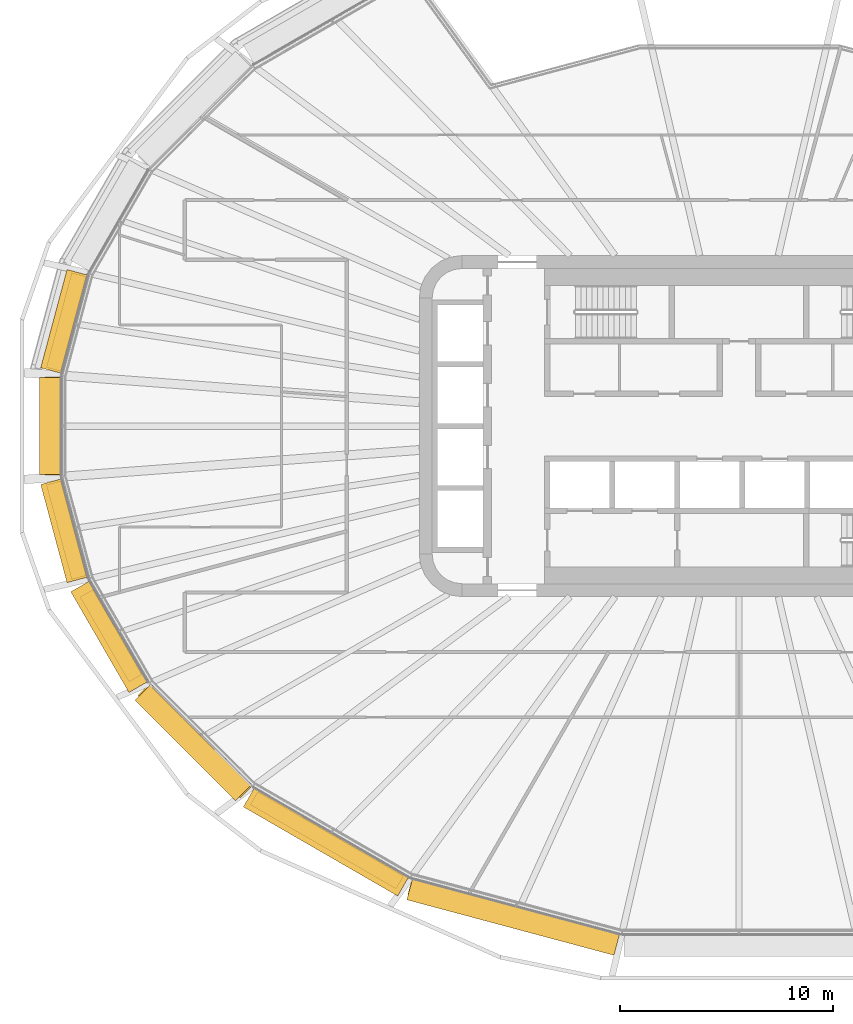
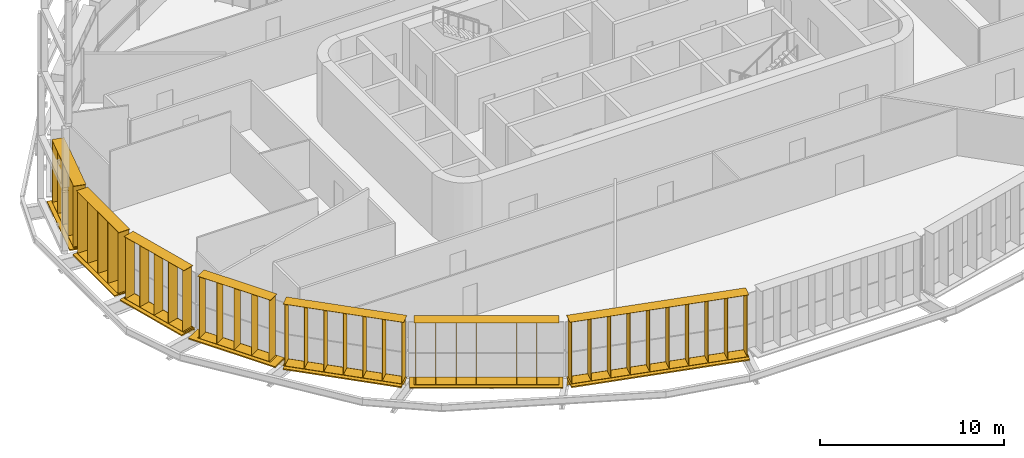
# One storey, part 19 of 25: 14 shading devices.
"""IFC4 building model written with IfcOpenShell, lengths in metres."""

from ifc_helpers import new_model, si_unit, direction, frame, origin, origin_2d, place, context, subcontext, project, spatial, rectangle, extrude, material, type_object, element, save


model = new_model("IFC4")

# Units and contexts
model_context = context("Model", 3, precision=1e-05, world=origin(), true_north=direction((0.0, 1.0)))
body_context = subcontext(model_context, "Body", "Model", "MODEL_VIEW")
ifc_project = project(units=[si_unit("LENGTHUNIT", "METRE"), si_unit("AREAUNIT", "SQUARE_METRE"), si_unit("VOLUMEUNIT", "CUBIC_METRE"), si_unit("PLANEANGLEUNIT", "RADIAN"), si_unit("MASSUNIT", "GRAM", prefix="KILO")], contexts=[model_context])

# Site, building, storey
site_placement = place(None, origin())
site = spatial("IfcSite", under=ifc_project, at=site_placement, CompositionType="ELEMENT")
building_placement = place(site_placement, origin())
building = spatial("IfcBuilding", under=site, at=building_placement, Name="Sahrelin Media Tower", CompositionType="ELEMENT")
storey_placement = place(building_placement, frame((0.0, 0.0, 127.199951171875)))
storey = spatial("IfcBuildingStorey", under=building, at=storey_placement, Name="L25", CompositionType="ELEMENT", Elevation=127.199951171875)

# Shading devices
ifc_material = material(Name="Champagne anodised aluminium 6063-T6", Category="aluminium")
shading_device_type_1 = type_object("IfcShadingDeviceType", Name="Fin cassette", PredefinedType="USERDEFINED", material=ifc_material)
placement_1 = place(storey_placement, frame((-31.155029296875, 4.77587890625, 0.0), z_axis=(0.0, 0.0, 1.0), x_axis=(0.258807731996, 0.965928857556, 0.0)))
element("IfcShadingDevice", 1, at=placement_1, inside=storey, type_object=shading_device_type_1, Name="L25:FIN:L25-11", ObjectType="FIN", PredefinedType="USERDEFINED", context=body_context, shape_type="SweptSolid", body=[
    extrude(rectangle(XDim=4.60009765625, YDim=0.699951171875, at=origin_2d()), frame((0.0, 0.419921875, 0.0)), (0.0, 0.0, 1.0), 0.02001953125),
    extrude(rectangle(XDim=4.60009765625, YDim=0.699951171875, at=origin_2d()), frame((0.0, 0.419921875, 4.10009765625)), (0.0, 0.0, 1.0), 0.02001953125),
    extrude(rectangle(XDim=0.02001953125, YDim=0.699951171875, at=origin_2d()), frame((-2.199951171875, 0.419921875, 0.010009765625), z_axis=(0.0, 0.0, 1.0), x_axis=(1.0, 0.0, 0.0)), (0.0, 0.0, 1.0), 4.10009765625),
    extrude(rectangle(XDim=0.02001953125, YDim=0.699951171875, at=origin_2d()), frame((-1.10009765625, 0.419921875, 0.010009765625), z_axis=(0.0, 0.0, 1.0), x_axis=(1.0, 0.0, 0.0)), (0.0, 0.0, 1.0), 4.10009765625),
    extrude(rectangle(XDim=0.02001953125, YDim=0.699951171875, at=origin_2d()), frame((0.0, 0.419921875, 0.010009765625), z_axis=(0.0, 0.0, 1.0), x_axis=(1.0, 0.0, 0.0)), (0.0, 0.0, 1.0), 4.10009765625),
    extrude(rectangle(XDim=0.02001953125, YDim=0.699951171875, at=origin_2d()), frame((1.10009765625, 0.419921875, 0.010009765625), z_axis=(0.0, 0.0, 1.0), x_axis=(1.0, 0.0, 0.0)), (0.0, 0.0, 1.0), 4.10009765625),
    extrude(rectangle(XDim=0.02001953125, YDim=0.699951171875, at=origin_2d()), frame((2.199951171875, 0.419921875, 0.010009765625), z_axis=(0.0, 0.0, 1.0), x_axis=(1.0, 0.0, 0.0)), (0.0, 0.0, 1.0), 4.10009765625),
])
placement_2 = place(storey_placement, frame((-31.798095703125, 0.0, 0.0), z_axis=(0.0, 0.0, 1.0), x_axis=(0.0, 1.0, 0.0)))
element("IfcShadingDevice", 2, at=placement_2, inside=storey, type_object=shading_device_type_1, Name="L25:FIN:L25-12", ObjectType="FIN", PredefinedType="USERDEFINED", context=body_context, shape_type="SweptSolid", body=[
    extrude(rectangle(XDim=4.60009765625, YDim=0.699951171875, at=origin_2d()), frame((0.0, 0.419921875, 0.0)), (0.0, 0.0, 1.0), 0.02001953125),
    extrude(rectangle(XDim=4.60009765625, YDim=0.699951171875, at=origin_2d()), frame((0.0, 0.419921875, 4.10009765625)), (0.0, 0.0, 1.0), 0.02001953125),
    extrude(rectangle(XDim=0.02001953125, YDim=0.699951171875, at=origin_2d()), frame((-2.199951171875, 0.419921875, 0.010009765625), z_axis=(0.0, 0.0, 1.0), x_axis=(1.0, 0.0, 0.0)), (0.0, 0.0, 1.0), 4.10009765625),
    extrude(rectangle(XDim=0.02001953125, YDim=0.699951171875, at=origin_2d()), frame((-1.10009765625, 0.419921875, 0.010009765625), z_axis=(0.0, 0.0, 1.0), x_axis=(1.0, 0.0, 0.0)), (0.0, 0.0, 1.0), 4.10009765625),
    extrude(rectangle(XDim=0.02001953125, YDim=0.699951171875, at=origin_2d()), frame((0.0, 0.419921875, 0.010009765625), z_axis=(0.0, 0.0, 1.0), x_axis=(1.0, 0.0, 0.0)), (0.0, 0.0, 1.0), 4.10009765625),
    extrude(rectangle(XDim=0.02001953125, YDim=0.699951171875, at=origin_2d()), frame((1.10009765625, 0.419921875, 0.010009765625), z_axis=(0.0, 0.0, 1.0), x_axis=(1.0, 0.0, 0.0)), (0.0, 0.0, 1.0), 4.10009765625),
    extrude(rectangle(XDim=0.02001953125, YDim=0.699951171875, at=origin_2d()), frame((2.199951171875, 0.419921875, 0.010009765625), z_axis=(0.0, 0.0, 1.0), x_axis=(1.0, 0.0, 0.0)), (0.0, 0.0, 1.0), 4.10009765625),
])
placement_3 = place(storey_placement, frame((-31.155029296875, -4.775634765625, 0.0), z_axis=(0.0, 0.0, 1.0), x_axis=(-0.258807731996, 0.965928857556, 0.0)))
element("IfcShadingDevice", 3, at=placement_3, inside=storey, type_object=shading_device_type_1, Name="L25:FIN:L25-13", ObjectType="FIN", PredefinedType="USERDEFINED", context=body_context, shape_type="SweptSolid", body=[
    extrude(rectangle(XDim=4.60009765625, YDim=0.699951171875, at=origin_2d()), frame((0.0, 0.419921875, 0.0)), (0.0, 0.0, 1.0), 0.02001953125),
    extrude(rectangle(XDim=4.60009765625, YDim=0.699951171875, at=origin_2d()), frame((0.0, 0.419921875, 4.10009765625)), (0.0, 0.0, 1.0), 0.02001953125),
    extrude(rectangle(XDim=0.02001953125, YDim=0.699951171875, at=origin_2d()), frame((-2.199951171875, 0.419921875, 0.010009765625), z_axis=(0.0, 0.0, 1.0), x_axis=(1.0, 0.0, 0.0)), (0.0, 0.0, 1.0), 4.10009765625),
    extrude(rectangle(XDim=0.02001953125, YDim=0.699951171875, at=origin_2d()), frame((-1.10009765625, 0.419921875, 0.010009765625), z_axis=(0.0, 0.0, 1.0), x_axis=(1.0, 0.0, 0.0)), (0.0, 0.0, 1.0), 4.10009765625),
    extrude(rectangle(XDim=0.02001953125, YDim=0.699951171875, at=origin_2d()), frame((0.0, 0.419921875, 0.010009765625), z_axis=(0.0, 0.0, 1.0), x_axis=(1.0, 0.0, 0.0)), (0.0, 0.0, 1.0), 4.10009765625),
    extrude(rectangle(XDim=0.02001953125, YDim=0.699951171875, at=origin_2d()), frame((1.10009765625, 0.419921875, 0.010009765625), z_axis=(0.0, 0.0, 1.0), x_axis=(1.0, 0.0, 0.0)), (0.0, 0.0, 1.0), 4.10009765625),
    extrude(rectangle(XDim=0.02001953125, YDim=0.699951171875, at=origin_2d()), frame((2.199951171875, 0.419921875, 0.010009765625), z_axis=(0.0, 0.0, 1.0), x_axis=(1.0, 0.0, 0.0)), (0.0, 0.0, 1.0), 4.10009765625),
])
placement_4 = place(storey_placement, frame((-29.098388671875, -9.6240234375, 0.0), z_axis=(0.0, 0.0, 1.0), x_axis=(-0.500011000363, 0.866019052629, 0.0)))
element("IfcShadingDevice", 4, at=placement_4, inside=storey, type_object=shading_device_type_1, Name="L25:FIN:L25-14", ObjectType="FIN", PredefinedType="USERDEFINED", context=body_context, shape_type="SweptSolid", body=[
    extrude(rectangle(XDim=4.60009765625, YDim=0.699951171875, at=origin_2d()), frame((0.0, 0.419921875, 0.0)), (0.0, 0.0, 1.0), 0.02001953125),
    extrude(rectangle(XDim=4.60009765625, YDim=0.699951171875, at=origin_2d()), frame((0.0, 0.419921875, 4.10009765625)), (0.0, 0.0, 1.0), 0.02001953125),
    extrude(rectangle(XDim=0.02001953125, YDim=0.699951171875, at=origin_2d()), frame((-2.199951171875, 0.419921875, 0.010009765625), z_axis=(0.0, 0.0, 1.0), x_axis=(1.0, 0.0, 0.0)), (0.0, 0.0, 1.0), 4.10009765625),
    extrude(rectangle(XDim=0.02001953125, YDim=0.699951171875, at=origin_2d()), frame((-1.10009765625, 0.419921875, 0.010009765625), z_axis=(0.0, 0.0, 1.0), x_axis=(1.0, 0.0, 0.0)), (0.0, 0.0, 1.0), 4.10009765625),
    extrude(rectangle(XDim=0.02001953125, YDim=0.699951171875, at=origin_2d()), frame((0.0, 0.419921875, 0.010009765625), z_axis=(0.0, 0.0, 1.0), x_axis=(1.0, 0.0, 0.0)), (0.0, 0.0, 1.0), 4.10009765625),
    extrude(rectangle(XDim=0.02001953125, YDim=0.699951171875, at=origin_2d()), frame((1.10009765625, 0.419921875, 0.010009765625), z_axis=(0.0, 0.0, 1.0), x_axis=(1.0, 0.0, 0.0)), (0.0, 0.0, 1.0), 4.10009765625),
    extrude(rectangle(XDim=0.02001953125, YDim=0.699951171875, at=origin_2d()), frame((2.199951171875, 0.419921875, 0.010009765625), z_axis=(0.0, 0.0, 1.0), x_axis=(1.0, 0.0, 0.0)), (0.0, 0.0, 1.0), 4.10009765625),
])
placement_5 = place(storey_placement, frame((-25.25634765625, -14.5009765625, 0.0), z_axis=(0.0, 0.0, 1.0), x_axis=(-0.707106781187, 0.707106781187, 0.0)))
element("IfcShadingDevice", 5, at=placement_5, inside=storey, type_object=shading_device_type_1, Name="L25:FIN:L25-15", ObjectType="FIN", PredefinedType="USERDEFINED", context=body_context, shape_type="SweptSolid", body=[
    extrude(rectangle(XDim=6.800048828125, YDim=0.699951171875, at=origin_2d()), frame((0.0, 0.419921875, 0.0)), (0.0, 0.0, 1.0), 0.02001953125),
    extrude(rectangle(XDim=6.800048828125, YDim=0.699951171875, at=origin_2d()), frame((0.0, 0.419921875, 4.10009765625)), (0.0, 0.0, 1.0), 0.02001953125),
    extrude(rectangle(XDim=0.02001953125, YDim=0.699951171875, at=origin_2d()), frame((-3.300048828125, 0.419921875, 0.010009765625), z_axis=(0.0, 0.0, 1.0), x_axis=(1.0, 0.0, 0.0)), (0.0, 0.0, 1.0), 4.10009765625),
    extrude(rectangle(XDim=0.02001953125, YDim=0.699951171875, at=origin_2d()), frame((-2.199951171875, 0.419921875, 0.010009765625), z_axis=(0.0, 0.0, 1.0), x_axis=(1.0, 0.0, 0.0)), (0.0, 0.0, 1.0), 4.10009765625),
    extrude(rectangle(XDim=0.02001953125, YDim=0.699951171875, at=origin_2d()), frame((-1.10009765625, 0.419921875, 0.010009765625), z_axis=(0.0, 0.0, 1.0), x_axis=(1.0, 0.0, 0.0)), (0.0, 0.0, 1.0), 4.10009765625),
    extrude(rectangle(XDim=0.02001953125, YDim=0.699951171875, at=origin_2d()), frame((0.0, 0.419921875, 0.010009765625), z_axis=(0.0, 0.0, 1.0), x_axis=(1.0, 0.0, 0.0)), (0.0, 0.0, 1.0), 4.10009765625),
    extrude(rectangle(XDim=0.02001953125, YDim=0.699951171875, at=origin_2d()), frame((1.10009765625, 0.419921875, 0.010009765625), z_axis=(0.0, 0.0, 1.0), x_axis=(1.0, 0.0, 0.0)), (0.0, 0.0, 1.0), 4.10009765625),
    extrude(rectangle(XDim=0.02001953125, YDim=0.699951171875, at=origin_2d()), frame((2.199951171875, 0.419921875, 0.010009765625), z_axis=(0.0, 0.0, 1.0), x_axis=(1.0, 0.0, 0.0)), (0.0, 0.0, 1.0), 4.10009765625),
    extrude(rectangle(XDim=0.02001953125, YDim=0.699951171875, at=origin_2d()), frame((3.300048828125, 0.419921875, 0.010009765625), z_axis=(0.0, 0.0, 1.0), x_axis=(1.0, 0.0, 0.0)), (0.0, 0.0, 1.0), 4.10009765625),
])
placement_6 = place(storey_placement, frame((-19.12109375, -19.069580078125, 0.0), z_axis=(0.0, 0.0, 1.0), x_axis=(-0.866019052629, 0.500011000363, 0.0)))
element("IfcShadingDevice", 6, at=placement_6, inside=storey, type_object=shading_device_type_1, Name="L25:FIN:L25-16", ObjectType="FIN", PredefinedType="USERDEFINED", context=body_context, shape_type="SweptSolid", body=[
    extrude(rectangle(XDim=7.89990234375, YDim=0.699951171875, at=origin_2d()), frame((0.0, 0.419921875, 0.0)), (0.0, 0.0, 1.0), 0.02001953125),
    extrude(rectangle(XDim=7.89990234375, YDim=0.699951171875, at=origin_2d()), frame((0.0, 0.419921875, 4.10009765625)), (0.0, 0.0, 1.0), 0.02001953125),
    extrude(rectangle(XDim=0.02001953125, YDim=0.699951171875, at=origin_2d()), frame((-3.85009765625, 0.419921875, 0.010009765625), z_axis=(0.0, 0.0, 1.0), x_axis=(1.0, 0.0, 0.0)), (0.0, 0.0, 1.0), 4.10009765625),
    extrude(rectangle(XDim=0.02001953125, YDim=0.699951171875, at=origin_2d()), frame((-2.75, 0.419921875, 0.010009765625), z_axis=(0.0, 0.0, 1.0), x_axis=(1.0, 0.0, 0.0)), (0.0, 0.0, 1.0), 4.10009765625),
    extrude(rectangle(XDim=0.02001953125, YDim=0.699951171875, at=origin_2d()), frame((-1.64990234375, 0.419921875, 0.010009765625), z_axis=(0.0, 0.0, 1.0), x_axis=(1.0, 0.0, 0.0)), (0.0, 0.0, 1.0), 4.10009765625),
    extrude(rectangle(XDim=0.02001953125, YDim=0.699951171875, at=origin_2d()), frame((-0.550048828125, 0.419921875, 0.010009765625), z_axis=(0.0, 0.0, 1.0), x_axis=(1.0, 0.0, 0.0)), (0.0, 0.0, 1.0), 4.10009765625),
    extrude(rectangle(XDim=0.02001953125, YDim=0.699951171875, at=origin_2d()), frame((0.550048828125, 0.419921875, 0.010009765625), z_axis=(0.0, 0.0, 1.0), x_axis=(1.0, 0.0, 0.0)), (0.0, 0.0, 1.0), 4.10009765625),
    extrude(rectangle(XDim=0.02001953125, YDim=0.699951171875, at=origin_2d()), frame((1.64990234375, 0.419921875, 0.010009765625), z_axis=(0.0, 0.0, 1.0), x_axis=(1.0, 0.0, 0.0)), (0.0, 0.0, 1.0), 4.10009765625),
    extrude(rectangle(XDim=0.02001953125, YDim=0.699951171875, at=origin_2d()), frame((2.75, 0.419921875, 0.010009765625), z_axis=(0.0, 0.0, 1.0), x_axis=(1.0, 0.0, 0.0)), (0.0, 0.0, 1.0), 4.10009765625),
    extrude(rectangle(XDim=0.02001953125, YDim=0.699951171875, at=origin_2d()), frame((3.85009765625, 0.419921875, 0.010009765625), z_axis=(0.0, 0.0, 1.0), x_axis=(1.0, 0.0, 0.0)), (0.0, 0.0, 1.0), 4.10009765625),
])
placement_7 = place(storey_placement, frame((-10.460205078125, -22.537353515625, 0.0), z_axis=(0.0, 0.0, 1.0), x_axis=(-0.965928857556, 0.258807731996, 0.0)))
element("IfcShadingDevice", 7, at=placement_7, inside=storey, type_object=shading_device_type_1, Name="L25:FIN:L25-17", ObjectType="FIN", PredefinedType="USERDEFINED", context=body_context, shape_type="SweptSolid", body=[
    extrude(rectangle(XDim=10.10009765625, YDim=0.699951171875, at=origin_2d()), frame((0.0, 0.419921875, 0.0)), (0.0, 0.0, 1.0), 0.02001953125),
    extrude(rectangle(XDim=10.10009765625, YDim=0.699951171875, at=origin_2d()), frame((0.0, 0.419921875, 4.10009765625)), (0.0, 0.0, 1.0), 0.02001953125),
    extrude(rectangle(XDim=0.02001953125, YDim=0.699951171875, at=origin_2d()), frame((-4.949951171875, 0.419921875, 0.010009765625), z_axis=(0.0, 0.0, 1.0), x_axis=(1.0, 0.0, 0.0)), (0.0, 0.0, 1.0), 4.10009765625),
    extrude(rectangle(XDim=0.02001953125, YDim=0.699951171875, at=origin_2d()), frame((-3.85009765625, 0.419921875, 0.010009765625), z_axis=(0.0, 0.0, 1.0), x_axis=(1.0, 0.0, 0.0)), (0.0, 0.0, 1.0), 4.10009765625),
    extrude(rectangle(XDim=0.02001953125, YDim=0.699951171875, at=origin_2d()), frame((-2.75, 0.419921875, 0.010009765625), z_axis=(0.0, 0.0, 1.0), x_axis=(1.0, 0.0, 0.0)), (0.0, 0.0, 1.0), 4.10009765625),
    extrude(rectangle(XDim=0.02001953125, YDim=0.699951171875, at=origin_2d()), frame((-1.64990234375, 0.419921875, 0.010009765625), z_axis=(0.0, 0.0, 1.0), x_axis=(1.0, 0.0, 0.0)), (0.0, 0.0, 1.0), 4.10009765625),
    extrude(rectangle(XDim=0.02001953125, YDim=0.699951171875, at=origin_2d()), frame((-0.550048828125, 0.419921875, 0.010009765625), z_axis=(0.0, 0.0, 1.0), x_axis=(1.0, 0.0, 0.0)), (0.0, 0.0, 1.0), 4.10009765625),
    extrude(rectangle(XDim=0.02001953125, YDim=0.699951171875, at=origin_2d()), frame((0.550048828125, 0.419921875, 0.010009765625), z_axis=(0.0, 0.0, 1.0), x_axis=(1.0, 0.0, 0.0)), (0.0, 0.0, 1.0), 4.10009765625),
    extrude(rectangle(XDim=0.02001953125, YDim=0.699951171875, at=origin_2d()), frame((1.64990234375, 0.419921875, 0.010009765625), z_axis=(0.0, 0.0, 1.0), x_axis=(1.0, 0.0, 0.0)), (0.0, 0.0, 1.0), 4.10009765625),
    extrude(rectangle(XDim=0.02001953125, YDim=0.699951171875, at=origin_2d()), frame((2.75, 0.419921875, 0.010009765625), z_axis=(0.0, 0.0, 1.0), x_axis=(1.0, 0.0, 0.0)), (0.0, 0.0, 1.0), 4.10009765625),
    extrude(rectangle(XDim=0.02001953125, YDim=0.699951171875, at=origin_2d()), frame((3.85009765625, 0.419921875, 0.010009765625), z_axis=(0.0, 0.0, 1.0), x_axis=(1.0, 0.0, 0.0)), (0.0, 0.0, 1.0), 4.10009765625),
    extrude(rectangle(XDim=0.02001953125, YDim=0.699951171875, at=origin_2d()), frame((4.949951171875, 0.419921875, 0.010009765625), z_axis=(0.0, 0.0, 1.0), x_axis=(1.0, 0.0, 0.0)), (0.0, 0.0, 1.0), 4.10009765625),
])
shading_device_type_2 = type_object("IfcShadingDeviceType", Name="Sunshade band", PredefinedType="USERDEFINED", material=ifc_material)
element("IfcShadingDevice", 8, at=placement_1, inside=storey, type_object=shading_device_type_2, Name="L25:SUN:L25-11", ObjectType="SUNSHADE", PredefinedType="USERDEFINED", context=body_context, shape_type="SweptSolid", body=[
    extrude(rectangle(XDim=4.769287109375, YDim=0.050048828125, at=origin_2d()), frame((0.0, 0.044921875, -0.55126953125)), (0.0, 0.0, 1.0), 0.471435546875),
    extrude(rectangle(XDim=4.769287109375, YDim=1.0, at=origin_2d()), frame((0.0, 0.52001953125, -0.080078125)), (0.0, 0.0, 1.0), 0.080078125),
    extrude(rectangle(XDim=0.10009765625, YDim=0.074951171875, at=origin_2d()), frame((-2.28466796875, -0.017578125, -0.47021484375)), (0.0, 0.0, 1.0), 0.300048828125),
    extrude(rectangle(XDim=0.10009765625, YDim=0.074951171875, at=origin_2d()), frame((-0.761474609375, -0.017578125, -0.47021484375)), (0.0, 0.0, 1.0), 0.300048828125),
    extrude(rectangle(XDim=0.10009765625, YDim=0.074951171875, at=origin_2d()), frame((0.761474609375, -0.017578125, -0.47021484375)), (0.0, 0.0, 1.0), 0.300048828125),
    extrude(rectangle(XDim=0.10009765625, YDim=0.074951171875, at=origin_2d()), frame((2.28466796875, -0.017578125, -0.47021484375)), (0.0, 0.0, 1.0), 0.300048828125),
])
element("IfcShadingDevice", 9, at=placement_2, inside=storey, type_object=shading_device_type_2, Name="L25:SUN:L25-12", ObjectType="SUNSHADE", PredefinedType="USERDEFINED", context=body_context, shape_type="SweptSolid", body=[
    extrude(rectangle(XDim=4.551513671875, YDim=0.050048828125, at=origin_2d()), frame((0.0, 0.044921875, -0.55126953125)), (0.0, 0.0, 1.0), 0.471435546875),
    extrude(rectangle(XDim=4.551513671875, YDim=1.0, at=origin_2d()), frame((0.0, 0.52001953125, -0.080078125)), (0.0, 0.0, 1.0), 0.080078125),
    extrude(rectangle(XDim=0.10009765625, YDim=0.074951171875, at=origin_2d()), frame((-2.17578125, -0.017578125, -0.47021484375)), (0.0, 0.0, 1.0), 0.300048828125),
    extrude(rectangle(XDim=0.10009765625, YDim=0.074951171875, at=origin_2d()), frame((-0.725341796875, -0.017578125, -0.47021484375)), (0.0, 0.0, 1.0), 0.300048828125),
    extrude(rectangle(XDim=0.10009765625, YDim=0.074951171875, at=origin_2d()), frame((0.725341796875, -0.017578125, -0.47021484375)), (0.0, 0.0, 1.0), 0.300048828125),
    extrude(rectangle(XDim=0.10009765625, YDim=0.074951171875, at=origin_2d()), frame((2.17578125, -0.017578125, -0.47021484375)), (0.0, 0.0, 1.0), 0.300048828125),
])
element("IfcShadingDevice", 10, at=placement_3, inside=storey, type_object=shading_device_type_2, Name="L25:SUN:L25-13", ObjectType="SUNSHADE", PredefinedType="USERDEFINED", context=body_context, shape_type="SweptSolid", body=[
    extrude(rectangle(XDim=4.769287109375, YDim=0.050048828125, at=origin_2d()), frame((0.0, 0.044921875, -0.55126953125)), (0.0, 0.0, 1.0), 0.471435546875),
    extrude(rectangle(XDim=4.769287109375, YDim=1.0, at=origin_2d()), frame((0.0, 0.52001953125, -0.080078125)), (0.0, 0.0, 1.0), 0.080078125),
    extrude(rectangle(XDim=0.10009765625, YDim=0.074951171875, at=origin_2d()), frame((-2.28466796875, -0.017578125, -0.47021484375)), (0.0, 0.0, 1.0), 0.300048828125),
    extrude(rectangle(XDim=0.10009765625, YDim=0.074951171875, at=origin_2d()), frame((-0.761474609375, -0.017578125, -0.47021484375)), (0.0, 0.0, 1.0), 0.300048828125),
    extrude(rectangle(XDim=0.10009765625, YDim=0.074951171875, at=origin_2d()), frame((0.761474609375, -0.017578125, -0.47021484375)), (0.0, 0.0, 1.0), 0.300048828125),
    extrude(rectangle(XDim=0.10009765625, YDim=0.074951171875, at=origin_2d()), frame((2.28466796875, -0.017578125, -0.47021484375)), (0.0, 0.0, 1.0), 0.300048828125),
])
element("IfcShadingDevice", 11, at=placement_4, inside=storey, type_object=shading_device_type_2, Name="L25:SUN:L25-14", ObjectType="SUNSHADE", PredefinedType="USERDEFINED", context=body_context, shape_type="SweptSolid", body=[
    extrude(rectangle(XDim=5.4541015625, YDim=0.050048828125, at=origin_2d()), frame((0.0, 0.044921875, -0.55126953125)), (0.0, 0.0, 1.0), 0.471435546875),
    extrude(rectangle(XDim=5.4541015625, YDim=1.0, at=origin_2d()), frame((0.0, 0.52001953125, -0.080078125)), (0.0, 0.0, 1.0), 0.080078125),
    extrude(rectangle(XDim=0.10009765625, YDim=0.074951171875, at=origin_2d()), frame((-2.627197265625, -0.017578125, -0.47021484375)), (0.0, 0.0, 1.0), 0.300048828125),
    extrude(rectangle(XDim=0.10009765625, YDim=0.074951171875, at=origin_2d()), frame((-0.875732421875, -0.017578125, -0.47021484375)), (0.0, 0.0, 1.0), 0.300048828125),
    extrude(rectangle(XDim=0.10009765625, YDim=0.074951171875, at=origin_2d()), frame((0.875732421875, -0.017578125, -0.47021484375)), (0.0, 0.0, 1.0), 0.300048828125),
    extrude(rectangle(XDim=0.10009765625, YDim=0.074951171875, at=origin_2d()), frame((2.627197265625, -0.017578125, -0.47021484375)), (0.0, 0.0, 1.0), 0.300048828125),
])
element("IfcShadingDevice", 12, at=placement_5, inside=storey, type_object=shading_device_type_2, Name="L25:SUN:L25-15", ObjectType="SUNSHADE", PredefinedType="USERDEFINED", context=body_context, shape_type="SweptSolid", body=[
    extrude(rectangle(XDim=6.6689453125, YDim=0.050048828125, at=origin_2d()), frame((0.0, 0.044921875, -0.55126953125)), (0.0, 0.0, 1.0), 0.471435546875),
    extrude(rectangle(XDim=6.6689453125, YDim=1.0, at=origin_2d()), frame((0.0, 0.52001953125, -0.080078125)), (0.0, 0.0, 1.0), 0.080078125),
    extrude(rectangle(XDim=0.10009765625, YDim=0.074951171875, at=origin_2d()), frame((-3.234619140625, -0.017578125, -0.47021484375)), (0.0, 0.0, 1.0), 0.300048828125),
    extrude(rectangle(XDim=0.10009765625, YDim=0.074951171875, at=origin_2d()), frame((-1.6171875, -0.017578125, -0.47021484375)), (0.0, 0.0, 1.0), 0.300048828125),
    extrude(rectangle(XDim=0.10009765625, YDim=0.074951171875, at=origin_2d()), frame((0.0, -0.017578125, -0.47021484375)), (0.0, 0.0, 1.0), 0.300048828125),
    extrude(rectangle(XDim=0.10009765625, YDim=0.074951171875, at=origin_2d()), frame((1.6171875, -0.017578125, -0.47021484375)), (0.0, 0.0, 1.0), 0.300048828125),
    extrude(rectangle(XDim=0.10009765625, YDim=0.074951171875, at=origin_2d()), frame((3.234619140625, -0.017578125, -0.47021484375)), (0.0, 0.0, 1.0), 0.300048828125),
])
element("IfcShadingDevice", 13, at=placement_6, inside=storey, type_object=shading_device_type_2, Name="L25:SUN:L25-16", ObjectType="SUNSHADE", PredefinedType="USERDEFINED", context=body_context, shape_type="SweptSolid", body=[
    extrude(rectangle(XDim=8.360595703125, YDim=0.050048828125, at=origin_2d()), frame((0.0, 0.044921875, -0.55126953125)), (0.0, 0.0, 1.0), 0.471435546875),
    extrude(rectangle(XDim=8.360595703125, YDim=1.0, at=origin_2d()), frame((0.0, 0.52001953125, -0.080078125)), (0.0, 0.0, 1.0), 0.080078125),
    extrude(rectangle(XDim=0.10009765625, YDim=0.074951171875, at=origin_2d()), frame((-4.080078125, -0.017578125, -0.47021484375)), (0.0, 0.0, 1.0), 0.300048828125),
    extrude(rectangle(XDim=0.10009765625, YDim=0.074951171875, at=origin_2d()), frame((-2.447998046875, -0.017578125, -0.47021484375)), (0.0, 0.0, 1.0), 0.300048828125),
    extrude(rectangle(XDim=0.10009765625, YDim=0.074951171875, at=origin_2d()), frame((-0.81591796875, -0.017578125, -0.47021484375)), (0.0, 0.0, 1.0), 0.300048828125),
    extrude(rectangle(XDim=0.10009765625, YDim=0.074951171875, at=origin_2d()), frame((0.81591796875, -0.017578125, -0.47021484375)), (0.0, 0.0, 1.0), 0.300048828125),
    extrude(rectangle(XDim=0.10009765625, YDim=0.074951171875, at=origin_2d()), frame((2.447998046875, -0.017578125, -0.47021484375)), (0.0, 0.0, 1.0), 0.300048828125),
    extrude(rectangle(XDim=0.10009765625, YDim=0.074951171875, at=origin_2d()), frame((4.080078125, -0.017578125, -0.47021484375)), (0.0, 0.0, 1.0), 0.300048828125),
])
element("IfcShadingDevice", 14, at=placement_7, inside=storey, type_object=shading_device_type_2, Name="L25:SUN:L25-17", ObjectType="SUNSHADE", PredefinedType="USERDEFINED", context=body_context, shape_type="SweptSolid", body=[
    extrude(rectangle(XDim=10.0576171875, YDim=0.050048828125, at=origin_2d()), frame((0.0, 0.044921875, -0.55126953125)), (0.0, 0.0, 1.0), 0.471435546875),
    extrude(rectangle(XDim=10.0576171875, YDim=1.0, at=origin_2d()), frame((0.0, 0.52001953125, -0.080078125)), (0.0, 0.0, 1.0), 0.080078125),
    extrude(rectangle(XDim=0.10009765625, YDim=0.074951171875, at=origin_2d()), frame((-4.9287109375, -0.017578125, -0.47021484375)), (0.0, 0.0, 1.0), 0.300048828125),
    extrude(rectangle(XDim=0.10009765625, YDim=0.074951171875, at=origin_2d()), frame((-3.285888671875, -0.017578125, -0.47021484375)), (0.0, 0.0, 1.0), 0.300048828125),
    extrude(rectangle(XDim=0.10009765625, YDim=0.074951171875, at=origin_2d()), frame((-1.642822265625, -0.017578125, -0.47021484375)), (0.0, 0.0, 1.0), 0.300048828125),
    extrude(rectangle(XDim=0.10009765625, YDim=0.074951171875, at=origin_2d()), frame((0.0, -0.017578125, -0.47021484375)), (0.0, 0.0, 1.0), 0.300048828125),
    extrude(rectangle(XDim=0.10009765625, YDim=0.074951171875, at=origin_2d()), frame((1.642822265625, -0.017578125, -0.47021484375)), (0.0, 0.0, 1.0), 0.300048828125),
    extrude(rectangle(XDim=0.10009765625, YDim=0.074951171875, at=origin_2d()), frame((3.285888671875, -0.017578125, -0.47021484375)), (0.0, 0.0, 1.0), 0.300048828125),
    extrude(rectangle(XDim=0.10009765625, YDim=0.074951171875, at=origin_2d()), frame((4.9287109375, -0.017578125, -0.47021484375)), (0.0, 0.0, 1.0), 0.300048828125),
])

save(model, "model.ifc")
